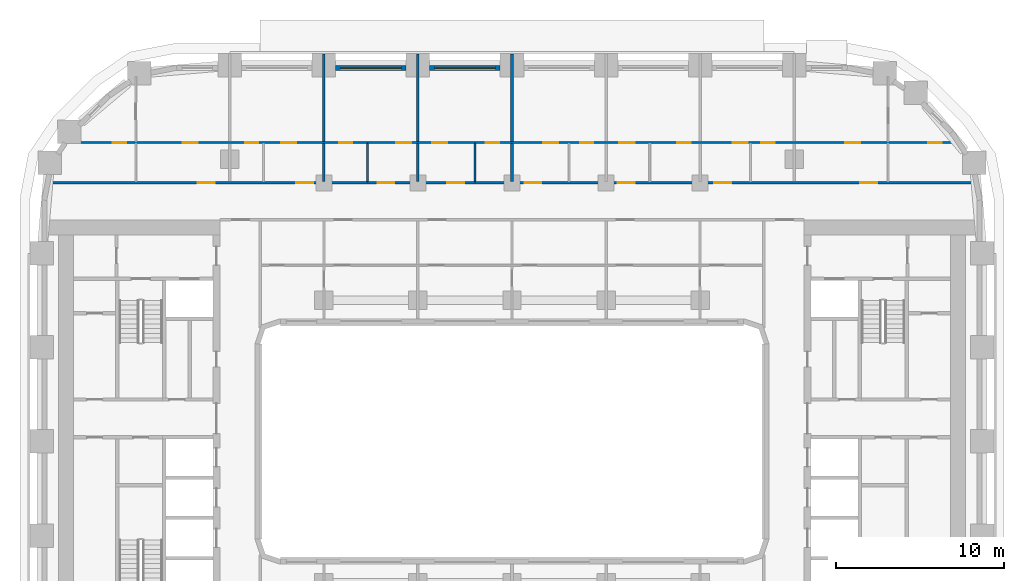
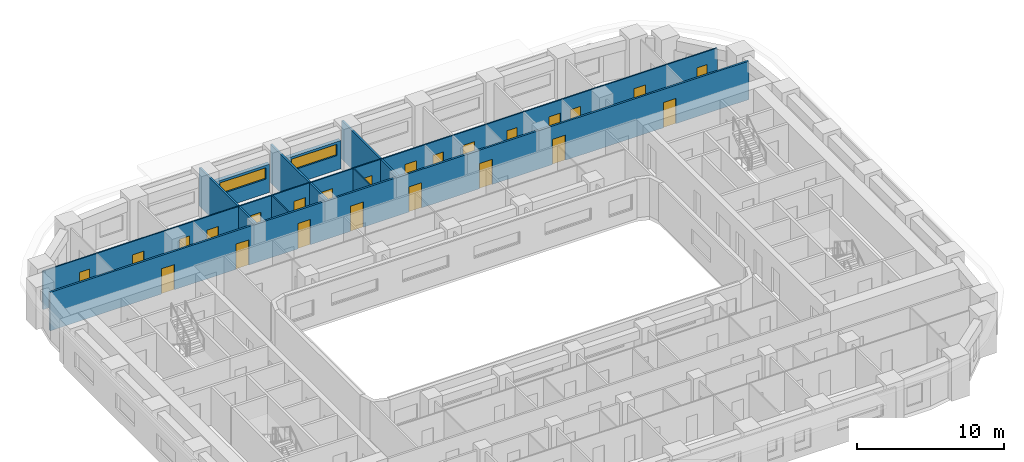
# One storey, part 9 of 22: 24 doors, 12 walls, 2 windows, 26 openings.
"""IFC4 building model written with IfcOpenShell, lengths in metres."""

from ifc_helpers import new_model, si_unit, direction, frame, frame_2d, origin, place, context, subcontext, project, spatial, rectangle, extrude, material, layer, layer_set, type_object, element, fill, save


model = new_model("IFC4")

# Units and contexts
model_context = context("Model", 3, precision=1e-05, world=origin(), true_north=direction((0.0, 1.0)))
body_context = subcontext(model_context, "Body", "Model", "MODEL_VIEW")
ifc_project = project(units=[si_unit("LENGTHUNIT", "METRE"), si_unit("AREAUNIT", "SQUARE_METRE"), si_unit("VOLUMEUNIT", "CUBIC_METRE"), si_unit("PLANEANGLEUNIT", "RADIAN"), si_unit("MASSUNIT", "GRAM", prefix="KILO")], contexts=[model_context])

# Site, building, storey
site_placement = place(None, origin())
site = spatial("IfcSite", under=ifc_project, at=site_placement, CompositionType="ELEMENT")
building_placement = place(site_placement, origin())
building = spatial("IfcBuilding", under=site, at=building_placement, Name="Kiln Ring Residences", CompositionType="ELEMENT")
storey_placement = place(building_placement, frame((0.0, 0.0, 62.0)))
storey = spatial("IfcBuildingStorey", under=building, at=storey_placement, Name="L15", CompositionType="ELEMENT", Elevation=62.0)

# Wall, opening, window
ifc_material_1 = material(Name="Brick masonry, dark clay brick", Category="masonry")
ifc_layer_1 = layer(ifc_material_1, 0.300048828125)
ifc_layer_set_1 = layer_set([ifc_layer_1], Name="EW-300 BRICK WALL")
wall_type_1 = type_object("IfcWallType", Name="EW-300 BRICK WALL", PredefinedType="SOLIDWALL", material=ifc_layer_set_1)
wall_1_placement = place(storey_placement, frame((-0.699951171875, 22.25, 0.0), z_axis=(0.0, 0.0, 1.0), x_axis=(-1.0, 0.0, 0.0)))
wall_1 = element("IfcWall", 1, at=wall_1_placement, inside=storey, type_object=wall_type_1, Name="Facade wall L15 32", PredefinedType="SOLIDWALL", context=body_context, shape_type="SweptSolid", body=[
    extrude(rectangle(XDim=4.199951171875, YDim=0.300048828125, at=frame_2d((2.10009765625, 0.0))), origin(), (0.0, 0.0, 1.0), 2.35009765625),
])
opening_1_placement = place(wall_1_placement, frame((0.300048828125, 0.0, 1.199951171875)))
opening_1 = element("IfcOpeningElement", 2, at=opening_1_placement, cuts=wall_1, Name="Opening W4", PredefinedType="OPENING", context=body_context, shape_type="SweptSolid", body=[
    extrude(rectangle(XDim=3.60009765625, YDim=0.949951171875, at=frame_2d((1.800048828125, 0.47509765625))), frame((0.0, 0.159912109375, 0.0), z_axis=(0.0, -1.0, 0.0), x_axis=(1.0, 0.0, 0.0)), (0.0, 0.0, 1.0), 0.320068359375),
])
ifc_material_2 = material(Name="Aluminium frame with double glazing", Category="aluminium")
window_type = type_object("IfcWindowType", Name="WINDOW 3600 x 950", PartitioningType="SINGLE_PANEL", PredefinedType="WINDOW", material=ifc_material_2)
window_1_placement = place(opening_1_placement, origin())
window_1 = element("IfcWindow", 3, at=window_1_placement, inside=storey, type_object=window_type, Name="Window L15 17", OverallHeight=0.949951171875, OverallWidth=3.60009765625, PartitioningType="SINGLE_PANEL", PredefinedType="WINDOW", context=body_context, shape_type="SweptSolid", body=[
    extrude(rectangle(XDim=3.60009765625, YDim=0.949951171875, at=frame_2d((1.800048828125, 0.47509765625))), frame((0.0, 0.030029296875, 0.0), z_axis=(0.0, -1.0, 0.0), x_axis=(1.0, 0.0, 0.0)), (0.0, 0.0, 1.0), 0.06005859375),
])
fill(opening_1, window_1)

wall_2_placement = place(storey_placement, frame((-6.300048828125, 22.25, 0.0), z_axis=(0.0, 0.0, 1.0), x_axis=(-1.0, 0.0, 0.0)))
wall_2 = element("IfcWall", 4, at=wall_2_placement, inside=storey, type_object=wall_type_1, Name="Facade wall L15 33", PredefinedType="SOLIDWALL", context=body_context, shape_type="SweptSolid", body=[
    extrude(rectangle(XDim=4.199951171875, YDim=0.300048828125, at=frame_2d((2.10009765625, 0.0))), origin(), (0.0, 0.0, 1.0), 2.35009765625),
])
opening_2_placement = place(wall_2_placement, frame((0.300048828125, 0.0, 1.199951171875)))
opening_2 = element("IfcOpeningElement", 5, at=opening_2_placement, cuts=wall_2, Name="Opening W4", PredefinedType="OPENING", context=body_context, shape_type="SweptSolid", body=[
    extrude(rectangle(XDim=3.60009765625, YDim=0.949951171875, at=frame_2d((1.800048828125, 0.47509765625))), frame((0.0, 0.159912109375, 0.0), z_axis=(0.0, -1.0, 0.0), x_axis=(1.0, 0.0, 0.0)), (0.0, 0.0, 1.0), 0.320068359375),
])
window_2_placement = place(opening_2_placement, origin())
window_2 = element("IfcWindow", 6, at=window_2_placement, inside=storey, type_object=window_type, Name="Window L15 18", OverallHeight=0.949951171875, OverallWidth=3.60009765625, PartitioningType="SINGLE_PANEL", PredefinedType="WINDOW", context=body_context, shape_type="SweptSolid", body=[
    extrude(rectangle(XDim=3.60009765625, YDim=0.949951171875, at=frame_2d((1.800048828125, 0.47509765625))), frame((0.0, 0.030029296875, 0.0), z_axis=(0.0, -1.0, 0.0), x_axis=(1.0, 0.0, 0.0)), (0.0, 0.0, 1.0), 0.06005859375),
])
fill(opening_2, window_2)

# Wall, openings, doors
ifc_material_3 = material(Name="Gypsum board on steel studs", Category="steel")
ifc_layer_2 = layer(ifc_material_3, 0.10009765625)
ifc_layer_set_2 = layer_set([ifc_layer_2], Name="PARTITION-100")
wall_type_2 = type_object("IfcWallType", Name="PARTITION-100", PredefinedType="PARTITIONING", material=ifc_layer_set_2)
wall_3_placement = place(storey_placement, frame((-26.639892578125, 17.800048828125, 0.0), z_axis=(0.0, 0.0, 1.0), x_axis=(1.0, 0.0, 0.0)))
wall_3 = element("IfcWall", 7, at=wall_3_placement, inside=storey, type_object=wall_type_2, Name="Partition 007", PredefinedType="PARTITIONING", context=body_context, shape_type="SweptSolid", body=[
    extrude(rectangle(XDim=53.033935546875, YDim=0.10009765625, at=frame_2d((26.51708984375, 0.0))), origin(), (0.0, 0.0, 1.0), 3.199951171875),
])
opening_3_placement = place(wall_3_placement, frame((2.8720703125, 0.0, 0.0)))
opening_3 = element("IfcOpeningElement", 8, at=opening_3_placement, cuts=wall_3, Name="Opening L15-D018", PredefinedType="OPENING", context=body_context, shape_type="SweptSolid", body=[
    extrude(rectangle(XDim=0.800048828125, YDim=2.10009765625, at=frame_2d((0.39990234375, 1.050048828125))), frame((0.0, 0.06005859375, 0.0), z_axis=(0.0, -1.0, 0.0), x_axis=(1.0, 0.0, 0.0)), (0.0, 0.0, 1.0), 0.1201171875),
])
opening_4_placement = place(wall_3_placement, frame((7.0400390625, 0.0, 0.0)))
opening_4 = element("IfcOpeningElement", 9, at=opening_4_placement, cuts=wall_3, Name="Opening L15-D019", PredefinedType="OPENING", context=body_context, shape_type="SweptSolid", body=[
    extrude(rectangle(XDim=0.89990234375, YDim=2.10009765625, at=frame_2d((0.449951171875, 1.050048828125))), frame((0.0, 0.06005859375, 0.0), z_axis=(0.0, -1.0, 0.0), x_axis=(1.0, 0.0, 0.0)), (0.0, 0.0, 1.0), 0.1201171875),
])
opening_5_placement = place(wall_3_placement, frame((10.739990234375, 0.0, 0.0)))
opening_5 = element("IfcOpeningElement", 10, at=opening_5_placement, cuts=wall_3, Name="Opening L15-D022", PredefinedType="OPENING", context=body_context, shape_type="SweptSolid", body=[
    extrude(rectangle(XDim=0.800048828125, YDim=2.10009765625, at=frame_2d((0.39990234375, 1.050048828125))), frame((0.0, 0.06005859375, 0.0), z_axis=(0.0, -1.0, 0.0), x_axis=(1.0, 0.0, 0.0)), (0.0, 0.0, 1.0), 0.1201171875),
])
opening_6_placement = place(wall_3_placement, frame((12.889892578125, 0.0, 0.0)))
opening_6 = element("IfcOpeningElement", 11, at=opening_6_placement, cuts=wall_3, Name="Opening L15-D023", PredefinedType="OPENING", context=body_context, shape_type="SweptSolid", body=[
    extrude(rectangle(XDim=0.89990234375, YDim=2.10009765625, at=frame_2d((0.449951171875, 1.050048828125))), frame((0.0, 0.06005859375, 0.0), z_axis=(0.0, -1.0, 0.0), x_axis=(1.0, 0.0, 0.0)), (0.0, 0.0, 1.0), 0.1201171875),
])
opening_7_placement = place(wall_3_placement, frame((16.340087890625, 0.0, 0.0)))
opening_7 = element("IfcOpeningElement", 12, at=opening_7_placement, cuts=wall_3, Name="Opening L15-D025", PredefinedType="OPENING", context=body_context, shape_type="SweptSolid", body=[
    extrude(rectangle(XDim=0.800048828125, YDim=2.10009765625, at=frame_2d((0.39990234375, 1.050048828125))), frame((0.0, 0.06005859375, 0.0), z_axis=(0.0, -1.0, 0.0), x_axis=(1.0, 0.0, 0.0)), (0.0, 0.0, 1.0), 0.1201171875),
])
opening_8_placement = place(wall_3_placement, frame((19.739990234375, 0.0, 0.0)))
opening_8 = element("IfcOpeningElement", 13, at=opening_8_placement, cuts=wall_3, Name="Opening L15-D026", PredefinedType="OPENING", context=body_context, shape_type="SweptSolid", body=[
    extrude(rectangle(XDim=0.89990234375, YDim=2.10009765625, at=frame_2d((0.449951171875, 1.050048828125))), frame((0.0, 0.06005859375, 0.0), z_axis=(0.0, -1.0, 0.0), x_axis=(1.0, 0.0, 0.0)), (0.0, 0.0, 1.0), 0.1201171875),
])
opening_9_placement = place(wall_3_placement, frame((25.090087890625, 0.0, 0.0)))
opening_9 = element("IfcOpeningElement", 14, at=opening_9_placement, cuts=wall_3, Name="Opening L15-D028", PredefinedType="OPENING", context=body_context, shape_type="SweptSolid", body=[
    extrude(rectangle(XDim=0.800048828125, YDim=2.10009765625, at=frame_2d((0.39990234375, 1.050048828125))), frame((0.0, 0.06005859375, 0.0), z_axis=(0.0, -1.0, 0.0), x_axis=(1.0, 0.0, 0.0)), (0.0, 0.0, 1.0), 0.1201171875),
])
opening_10_placement = place(wall_3_placement, frame((21.889892578125, 0.0, 0.0)))
opening_10 = element("IfcOpeningElement", 15, at=opening_10_placement, cuts=wall_3, Name="Opening L15-D029", PredefinedType="OPENING", context=body_context, shape_type="SweptSolid", body=[
    extrude(rectangle(XDim=0.89990234375, YDim=2.10009765625, at=frame_2d((0.449951171875, 1.050048828125))), frame((0.0, 0.06005859375, 0.0), z_axis=(0.0, -1.0, 0.0), x_axis=(1.0, 0.0, 0.0)), (0.0, 0.0, 1.0), 0.1201171875),
])
opening_11_placement = place(wall_3_placement, frame((30.68994140625, 0.0, 0.0)))
opening_11 = element("IfcOpeningElement", 16, at=opening_11_placement, cuts=wall_3, Name="Opening L15-D031", PredefinedType="OPENING", context=body_context, shape_type="SweptSolid", body=[
    extrude(rectangle(XDim=0.800048828125, YDim=2.10009765625, at=frame_2d((0.39990234375, 1.050048828125))), frame((0.0, 0.06005859375, 0.0), z_axis=(0.0, -1.0, 0.0), x_axis=(1.0, 0.0, 0.0)), (0.0, 0.0, 1.0), 0.1201171875),
])
opening_12_placement = place(wall_3_placement, frame((28.489990234375, 0.0, 0.0)))
opening_12 = element("IfcOpeningElement", 17, at=opening_12_placement, cuts=wall_3, Name="Opening L15-D032", PredefinedType="OPENING", context=body_context, shape_type="SweptSolid", body=[
    extrude(rectangle(XDim=0.89990234375, YDim=2.10009765625, at=frame_2d((0.449951171875, 1.050048828125))), frame((0.0, 0.06005859375, 0.0), z_axis=(0.0, -1.0, 0.0), x_axis=(1.0, 0.0, 0.0)), (0.0, 0.0, 1.0), 0.1201171875),
])
opening_13_placement = place(wall_3_placement, frame((36.489990234375, 0.0, 0.0)))
opening_13 = element("IfcOpeningElement", 18, at=opening_13_placement, cuts=wall_3, Name="Opening L15-D034", PredefinedType="OPENING", context=body_context, shape_type="SweptSolid", body=[
    extrude(rectangle(XDim=0.800048828125, YDim=2.10009765625, at=frame_2d((0.39990234375, 1.050048828125))), frame((0.0, 0.06005859375, 0.0), z_axis=(0.0, -1.0, 0.0), x_axis=(1.0, 0.0, 0.0)), (0.0, 0.0, 1.0), 0.1201171875),
])
opening_14_placement = place(wall_3_placement, frame((33.0400390625, 0.0, 0.0)))
opening_14 = element("IfcOpeningElement", 19, at=opening_14_placement, cuts=wall_3, Name="Opening L15-D035", PredefinedType="OPENING", context=body_context, shape_type="SweptSolid", body=[
    extrude(rectangle(XDim=0.89990234375, YDim=2.10009765625, at=frame_2d((0.449951171875, 1.050048828125))), frame((0.0, 0.06005859375, 0.0), z_axis=(0.0, -1.0, 0.0), x_axis=(1.0, 0.0, 0.0)), (0.0, 0.0, 1.0), 0.1201171875),
])
opening_15_placement = place(wall_3_placement, frame((41.489990234375, 0.0, 0.0)))
opening_15 = element("IfcOpeningElement", 20, at=opening_15_placement, cuts=wall_3, Name="Opening L15-D037", PredefinedType="OPENING", context=body_context, shape_type="SweptSolid", body=[
    extrude(rectangle(XDim=0.800048828125, YDim=2.10009765625, at=frame_2d((0.39990234375, 1.050048828125))), frame((0.0, 0.06005859375, 0.0), z_axis=(0.0, -1.0, 0.0), x_axis=(1.0, 0.0, 0.0)), (0.0, 0.0, 1.0), 0.1201171875),
])
opening_16_placement = place(wall_3_placement, frame((39.7900390625, 0.0, 0.0)))
opening_16 = element("IfcOpeningElement", 21, at=opening_16_placement, cuts=wall_3, Name="Opening L15-D038", PredefinedType="OPENING", context=body_context, shape_type="SweptSolid", body=[
    extrude(rectangle(XDim=0.89990234375, YDim=2.10009765625, at=frame_2d((0.449951171875, 1.050048828125))), frame((0.0, 0.06005859375, 0.0), z_axis=(0.0, -1.0, 0.0), x_axis=(1.0, 0.0, 0.0)), (0.0, 0.0, 1.0), 0.1201171875),
])
opening_17_placement = place(wall_3_placement, frame((51.43994140625, 0.0, 0.0)))
opening_17 = element("IfcOpeningElement", 22, at=opening_17_placement, cuts=wall_3, Name="Opening L15-D040", PredefinedType="OPENING", context=body_context, shape_type="SweptSolid", body=[
    extrude(rectangle(XDim=0.800048828125, YDim=2.10009765625, at=frame_2d((0.39990234375, 1.050048828125))), frame((0.0, 0.06005859375, 0.0), z_axis=(0.0, -1.0, 0.0), x_axis=(1.0, 0.0, 0.0)), (0.0, 0.0, 1.0), 0.1201171875),
])
opening_18_placement = place(wall_3_placement, frame((46.489990234375, 0.0, 0.0)))
opening_18 = element("IfcOpeningElement", 23, at=opening_18_placement, cuts=wall_3, Name="Opening L15-D041", PredefinedType="OPENING", context=body_context, shape_type="SweptSolid", body=[
    extrude(rectangle(XDim=0.89990234375, YDim=2.10009765625, at=frame_2d((0.449951171875, 1.050048828125))), frame((0.0, 0.06005859375, 0.0), z_axis=(0.0, -1.0, 0.0), x_axis=(1.0, 0.0, 0.0)), (0.0, 0.0, 1.0), 0.1201171875),
])
ifc_material_4 = material(Name="Timber door leaf", Category="wood")
door_type_1 = type_object("IfcDoorType", Name="FLAT-DOOR-800-PL", OperationType="SINGLE_SWING_LEFT", PredefinedType="DOOR", material=ifc_material_4)
door_1_placement = place(opening_3_placement, origin())
door_1 = element("IfcDoor", 24, at=door_1_placement, inside=storey, type_object=door_type_1, Name="Door L15-D018", OperationType="SINGLE_SWING_RIGHT", OverallHeight=2.10009765625, OverallWidth=0.800048828125, PredefinedType="DOOR", context=body_context, shape_type="SweptSolid", body=[
    extrude(rectangle(XDim=0.800048828125, YDim=2.10009765625, at=frame_2d((0.39990234375, 1.050048828125))), frame((0.0, 0.02490234375, 0.0), z_axis=(0.0, -1.0, 0.0), x_axis=(1.0, 0.0, 0.0)), (0.0, 0.0, 1.0), 0.050048828125),
])
fill(opening_3, door_1)
door_2_placement = place(opening_5_placement, origin())
door_2 = element("IfcDoor", 25, at=door_2_placement, inside=storey, type_object=door_type_1, Name="Door L15-D022", OperationType="SINGLE_SWING_RIGHT", OverallHeight=2.10009765625, OverallWidth=0.800048828125, PredefinedType="DOOR", context=body_context, shape_type="SweptSolid", body=[
    extrude(rectangle(XDim=0.800048828125, YDim=2.10009765625, at=frame_2d((0.39990234375, 1.050048828125))), frame((0.0, 0.02490234375, 0.0), z_axis=(0.0, -1.0, 0.0), x_axis=(1.0, 0.0, 0.0)), (0.0, 0.0, 1.0), 0.050048828125),
])
fill(opening_5, door_2)
door_3_placement = place(opening_7_placement, origin())
door_3 = element("IfcDoor", 26, at=door_3_placement, inside=storey, type_object=door_type_1, Name="Door L15-D025", OperationType="SINGLE_SWING_LEFT", OverallHeight=2.10009765625, OverallWidth=0.800048828125, PredefinedType="DOOR", context=body_context, shape_type="SweptSolid", body=[
    extrude(rectangle(XDim=0.800048828125, YDim=2.10009765625, at=frame_2d((0.39990234375, 1.050048828125))), frame((0.0, 0.02490234375, 0.0), z_axis=(0.0, -1.0, 0.0), x_axis=(1.0, 0.0, 0.0)), (0.0, 0.0, 1.0), 0.050048828125),
])
fill(opening_7, door_3)
door_4_placement = place(opening_9_placement, origin())
door_4 = element("IfcDoor", 27, at=door_4_placement, inside=storey, type_object=door_type_1, Name="Door L15-D028", OperationType="SINGLE_SWING_RIGHT", OverallHeight=2.10009765625, OverallWidth=0.800048828125, PredefinedType="DOOR", context=body_context, shape_type="SweptSolid", body=[
    extrude(rectangle(XDim=0.800048828125, YDim=2.10009765625, at=frame_2d((0.39990234375, 1.050048828125))), frame((0.0, 0.02490234375, 0.0), z_axis=(0.0, -1.0, 0.0), x_axis=(1.0, 0.0, 0.0)), (0.0, 0.0, 1.0), 0.050048828125),
])
fill(opening_9, door_4)
door_5_placement = place(opening_11_placement, origin())
door_5 = element("IfcDoor", 28, at=door_5_placement, inside=storey, type_object=door_type_1, Name="Door L15-D031", OperationType="SINGLE_SWING_LEFT", OverallHeight=2.10009765625, OverallWidth=0.800048828125, PredefinedType="DOOR", context=body_context, shape_type="SweptSolid", body=[
    extrude(rectangle(XDim=0.800048828125, YDim=2.10009765625, at=frame_2d((0.39990234375, 1.050048828125))), frame((0.0, 0.02490234375, 0.0), z_axis=(0.0, -1.0, 0.0), x_axis=(1.0, 0.0, 0.0)), (0.0, 0.0, 1.0), 0.050048828125),
])
fill(opening_11, door_5)
door_6_placement = place(opening_13_placement, origin())
door_6 = element("IfcDoor", 29, at=door_6_placement, inside=storey, type_object=door_type_1, Name="Door L15-D034", OperationType="SINGLE_SWING_RIGHT", OverallHeight=2.10009765625, OverallWidth=0.800048828125, PredefinedType="DOOR", context=body_context, shape_type="SweptSolid", body=[
    extrude(rectangle(XDim=0.800048828125, YDim=2.10009765625, at=frame_2d((0.39990234375, 1.050048828125))), frame((0.0, 0.02490234375, 0.0), z_axis=(0.0, -1.0, 0.0), x_axis=(1.0, 0.0, 0.0)), (0.0, 0.0, 1.0), 0.050048828125),
])
fill(opening_13, door_6)
door_7_placement = place(opening_15_placement, origin())
door_7 = element("IfcDoor", 30, at=door_7_placement, inside=storey, type_object=door_type_1, Name="Door L15-D037", OperationType="SINGLE_SWING_LEFT", OverallHeight=2.10009765625, OverallWidth=0.800048828125, PredefinedType="DOOR", context=body_context, shape_type="SweptSolid", body=[
    extrude(rectangle(XDim=0.800048828125, YDim=2.10009765625, at=frame_2d((0.39990234375, 1.050048828125))), frame((0.0, 0.02490234375, 0.0), z_axis=(0.0, -1.0, 0.0), x_axis=(1.0, 0.0, 0.0)), (0.0, 0.0, 1.0), 0.050048828125),
])
fill(opening_15, door_7)
door_8_placement = place(opening_17_placement, origin())
door_8 = element("IfcDoor", 31, at=door_8_placement, inside=storey, type_object=door_type_1, Name="Door L15-D040", OperationType="SINGLE_SWING_RIGHT", OverallHeight=2.10009765625, OverallWidth=0.800048828125, PredefinedType="DOOR", context=body_context, shape_type="SweptSolid", body=[
    extrude(rectangle(XDim=0.800048828125, YDim=2.10009765625, at=frame_2d((0.39990234375, 1.050048828125))), frame((0.0, 0.02490234375, 0.0), z_axis=(0.0, -1.0, 0.0), x_axis=(1.0, 0.0, 0.0)), (0.0, 0.0, 1.0), 0.050048828125),
])
fill(opening_17, door_8)
ifc_material_5 = material(Name="Timber door leaf", Category="wood")
door_type_2 = type_object("IfcDoorType", Name="FLAT-DOOR-900-PL", OperationType="SINGLE_SWING_LEFT", PredefinedType="DOOR", material=ifc_material_5)
door_9_placement = place(opening_4_placement, origin())
door_9 = element("IfcDoor", 32, at=door_9_placement, inside=storey, type_object=door_type_2, Name="Door L15-D019", OperationType="SINGLE_SWING_LEFT", OverallHeight=2.10009765625, OverallWidth=0.89990234375, PredefinedType="DOOR", context=body_context, shape_type="SweptSolid", body=[
    extrude(rectangle(XDim=0.89990234375, YDim=2.10009765625, at=frame_2d((0.449951171875, 1.050048828125))), frame((0.0, 0.02490234375, 0.0), z_axis=(0.0, -1.0, 0.0), x_axis=(1.0, 0.0, 0.0)), (0.0, 0.0, 1.0), 0.050048828125),
])
fill(opening_4, door_9)
door_10_placement = place(opening_6_placement, origin())
door_10 = element("IfcDoor", 33, at=door_10_placement, inside=storey, type_object=door_type_2, Name="Door L15-D023", OperationType="SINGLE_SWING_RIGHT", OverallHeight=2.10009765625, OverallWidth=0.89990234375, PredefinedType="DOOR", context=body_context, shape_type="SweptSolid", body=[
    extrude(rectangle(XDim=0.89990234375, YDim=2.10009765625, at=frame_2d((0.449951171875, 1.050048828125))), frame((0.0, 0.02490234375, 0.0), z_axis=(0.0, -1.0, 0.0), x_axis=(1.0, 0.0, 0.0)), (0.0, 0.0, 1.0), 0.050048828125),
])
fill(opening_6, door_10)
door_11_placement = place(opening_8_placement, origin())
door_11 = element("IfcDoor", 34, at=door_11_placement, inside=storey, type_object=door_type_2, Name="Door L15-D026", OperationType="SINGLE_SWING_LEFT", OverallHeight=2.10009765625, OverallWidth=0.89990234375, PredefinedType="DOOR", context=body_context, shape_type="SweptSolid", body=[
    extrude(rectangle(XDim=0.89990234375, YDim=2.10009765625, at=frame_2d((0.449951171875, 1.050048828125))), frame((0.0, 0.02490234375, 0.0), z_axis=(0.0, -1.0, 0.0), x_axis=(1.0, 0.0, 0.0)), (0.0, 0.0, 1.0), 0.050048828125),
])
fill(opening_8, door_11)
door_12_placement = place(opening_10_placement, origin())
door_12 = element("IfcDoor", 35, at=door_12_placement, inside=storey, type_object=door_type_2, Name="Door L15-D029", OperationType="SINGLE_SWING_RIGHT", OverallHeight=2.10009765625, OverallWidth=0.89990234375, PredefinedType="DOOR", context=body_context, shape_type="SweptSolid", body=[
    extrude(rectangle(XDim=0.89990234375, YDim=2.10009765625, at=frame_2d((0.449951171875, 1.050048828125))), frame((0.0, 0.02490234375, 0.0), z_axis=(0.0, -1.0, 0.0), x_axis=(1.0, 0.0, 0.0)), (0.0, 0.0, 1.0), 0.050048828125),
])
fill(opening_10, door_12)
door_13_placement = place(opening_12_placement, origin())
door_13 = element("IfcDoor", 36, at=door_13_placement, inside=storey, type_object=door_type_2, Name="Door L15-D032", OperationType="SINGLE_SWING_LEFT", OverallHeight=2.10009765625, OverallWidth=0.89990234375, PredefinedType="DOOR", context=body_context, shape_type="SweptSolid", body=[
    extrude(rectangle(XDim=0.89990234375, YDim=2.10009765625, at=frame_2d((0.449951171875, 1.050048828125))), frame((0.0, 0.02490234375, 0.0), z_axis=(0.0, -1.0, 0.0), x_axis=(1.0, 0.0, 0.0)), (0.0, 0.0, 1.0), 0.050048828125),
])
fill(opening_12, door_13)
door_14_placement = place(opening_14_placement, origin())
door_14 = element("IfcDoor", 37, at=door_14_placement, inside=storey, type_object=door_type_2, Name="Door L15-D035", OperationType="SINGLE_SWING_LEFT", OverallHeight=2.10009765625, OverallWidth=0.89990234375, PredefinedType="DOOR", context=body_context, shape_type="SweptSolid", body=[
    extrude(rectangle(XDim=0.89990234375, YDim=2.10009765625, at=frame_2d((0.449951171875, 1.050048828125))), frame((0.0, 0.02490234375, 0.0), z_axis=(0.0, -1.0, 0.0), x_axis=(1.0, 0.0, 0.0)), (0.0, 0.0, 1.0), 0.050048828125),
])
fill(opening_14, door_14)
door_15_placement = place(opening_16_placement, origin())
door_15 = element("IfcDoor", 38, at=door_15_placement, inside=storey, type_object=door_type_2, Name="Door L15-D038", OperationType="SINGLE_SWING_LEFT", OverallHeight=2.10009765625, OverallWidth=0.89990234375, PredefinedType="DOOR", context=body_context, shape_type="SweptSolid", body=[
    extrude(rectangle(XDim=0.89990234375, YDim=2.10009765625, at=frame_2d((0.449951171875, 1.050048828125))), frame((0.0, 0.02490234375, 0.0), z_axis=(0.0, -1.0, 0.0), x_axis=(1.0, 0.0, 0.0)), (0.0, 0.0, 1.0), 0.050048828125),
])
fill(opening_16, door_15)
door_16_placement = place(opening_18_placement, origin())
door_16 = element("IfcDoor", 39, at=door_16_placement, inside=storey, type_object=door_type_2, Name="Door L15-D041", OperationType="SINGLE_SWING_LEFT", OverallHeight=2.10009765625, OverallWidth=0.89990234375, PredefinedType="DOOR", context=body_context, shape_type="SweptSolid", body=[
    extrude(rectangle(XDim=0.89990234375, YDim=2.10009765625, at=frame_2d((0.449951171875, 1.050048828125))), frame((0.0, 0.02490234375, 0.0), z_axis=(0.0, -1.0, 0.0), x_axis=(1.0, 0.0, 0.0)), (0.0, 0.0, 1.0), 0.050048828125),
])
fill(opening_18, door_16)

# Walls
for number, where, z_axis, x_axis, name in (
    (40, (-8.60009765625, 15.47509765625, 0.0), (0.0, 0.0, 1.0), (0.0, 1.0, 0.0), "Partition 028"),
    (41, (-2.199951171875, 15.47509765625, 0.0), (0.0, 0.0, 1.0), (0.0, 1.0, 0.0), "Partition 039"),
):
    element("IfcWall", number, at=place(storey_placement, frame(where, z_axis=z_axis, x_axis=x_axis)), inside=storey, type_object=wall_type_2, Name=name, PredefinedType="PARTITIONING", context=body_context, shape_type="SweptSolid", body=[
        extrude(rectangle(XDim=2.27490234375, YDim=0.10009765625, at=frame_2d((1.137451171875, 0.0))), origin(), (0.0, 0.0, 1.0), 3.199951171875),
    ])

# Wall, openings, doors
ifc_material_6 = material(Name="Brick masonry partition", Category="masonry")
ifc_layer_3 = layer(ifc_material_6, 0.14990234375)
ifc_layer_set_3 = layer_set([ifc_layer_3], Name="PARTITION-150-ei60")
wall_type_3 = type_object("IfcWallType", Name="PARTITION-150-ei60", PredefinedType="PARTITIONING", material=ifc_layer_set_3)
wall_4_placement = place(storey_placement, frame((-27.48388671875, 15.39990234375, 0.0), z_axis=(0.0, 0.0, 1.0), x_axis=(1.0, 0.0, 0.0)))
wall_4 = element("IfcWall", 42, at=wall_4_placement, inside=storey, type_object=wall_type_3, Name="Partition 006", PredefinedType="PARTITIONING", context=body_context, shape_type="SweptSolid", body=[
    extrude(rectangle(XDim=54.9677734375, YDim=0.14990234375, at=frame_2d((27.48388671875, 0.0))), origin(), (0.0, 0.0, 1.0), 3.199951171875),
])
opening_19_placement = place(wall_4_placement, frame((8.78369140625, 0.0, 0.0)))
opening_19 = element("IfcOpeningElement", 43, at=opening_19_placement, cuts=wall_4, Name="Opening L15-D017", PredefinedType="OPENING", context=body_context, shape_type="SweptSolid", body=[
    extrude(rectangle(XDim=1.0, YDim=2.10009765625, at=frame_2d((0.5, 1.050048828125))), frame((0.0, 0.0849609375, 0.0), z_axis=(0.0, -1.0, 0.0), x_axis=(1.0, 0.0, 0.0)), (0.0, 0.0, 1.0), 0.169921875),
])
opening_20_placement = place(wall_4_placement, frame((14.6337890625, 0.0, 0.0)))
opening_20 = element("IfcOpeningElement", 44, at=opening_20_placement, cuts=wall_4, Name="Opening L15-D021", PredefinedType="OPENING", context=body_context, shape_type="SweptSolid", body=[
    extrude(rectangle(XDim=1.0, YDim=2.10009765625, at=frame_2d((0.5, 1.050048828125))), frame((0.0, 0.0849609375, 0.0), z_axis=(0.0, -1.0, 0.0), x_axis=(1.0, 0.0, 0.0)), (0.0, 0.0, 1.0), 0.169921875),
])
opening_21_placement = place(wall_4_placement, frame((19.48388671875, 0.0, 0.0)))
opening_21 = element("IfcOpeningElement", 45, at=opening_21_placement, cuts=wall_4, Name="Opening L15-D024", PredefinedType="OPENING", context=body_context, shape_type="SweptSolid", body=[
    extrude(rectangle(XDim=1.0, YDim=2.10009765625, at=frame_2d((0.5, 1.050048828125))), frame((0.0, 0.0849609375, 0.0), z_axis=(0.0, -1.0, 0.0), x_axis=(1.0, 0.0, 0.0)), (0.0, 0.0, 1.0), 0.169921875),
])
opening_22_placement = place(wall_4_placement, frame((23.6337890625, 0.0, 0.0)))
opening_22 = element("IfcOpeningElement", 46, at=opening_22_placement, cuts=wall_4, Name="Opening L15-D027", PredefinedType="OPENING", context=body_context, shape_type="SweptSolid", body=[
    extrude(rectangle(XDim=1.0, YDim=2.10009765625, at=frame_2d((0.5, 1.050048828125))), frame((0.0, 0.0849609375, 0.0), z_axis=(0.0, -1.0, 0.0), x_axis=(1.0, 0.0, 0.0)), (0.0, 0.0, 1.0), 0.169921875),
])
opening_23_placement = place(wall_4_placement, frame((28.23388671875, 0.0, 0.0)))
opening_23 = element("IfcOpeningElement", 47, at=opening_23_placement, cuts=wall_4, Name="Opening L15-D030", PredefinedType="OPENING", context=body_context, shape_type="SweptSolid", body=[
    extrude(rectangle(XDim=1.0, YDim=2.10009765625, at=frame_2d((0.5, 1.050048828125))), frame((0.0, 0.0849609375, 0.0), z_axis=(0.0, -1.0, 0.0), x_axis=(1.0, 0.0, 0.0)), (0.0, 0.0, 1.0), 0.169921875),
])
opening_24_placement = place(wall_4_placement, frame((33.78369140625, 0.0, 0.0)))
opening_24 = element("IfcOpeningElement", 48, at=opening_24_placement, cuts=wall_4, Name="Opening L15-D033", PredefinedType="OPENING", context=body_context, shape_type="SweptSolid", body=[
    extrude(rectangle(XDim=1.0, YDim=2.10009765625, at=frame_2d((0.5, 1.050048828125))), frame((0.0, 0.0849609375, 0.0), z_axis=(0.0, -1.0, 0.0), x_axis=(1.0, 0.0, 0.0)), (0.0, 0.0, 1.0), 0.169921875),
])
opening_25_placement = place(wall_4_placement, frame((39.53369140625, 0.0, 0.0)))
opening_25 = element("IfcOpeningElement", 49, at=opening_25_placement, cuts=wall_4, Name="Opening L15-D036", PredefinedType="OPENING", context=body_context, shape_type="SweptSolid", body=[
    extrude(rectangle(XDim=1.0, YDim=2.10009765625, at=frame_2d((0.5, 1.050048828125))), frame((0.0, 0.0849609375, 0.0), z_axis=(0.0, -1.0, 0.0), x_axis=(1.0, 0.0, 0.0)), (0.0, 0.0, 1.0), 0.169921875),
])
opening_26_placement = place(wall_4_placement, frame((48.23388671875, 0.0, 0.0)))
opening_26 = element("IfcOpeningElement", 50, at=opening_26_placement, cuts=wall_4, Name="Opening L15-D039", PredefinedType="OPENING", context=body_context, shape_type="SweptSolid", body=[
    extrude(rectangle(XDim=1.0, YDim=2.10009765625, at=frame_2d((0.5, 1.050048828125))), frame((0.0, 0.0849609375, 0.0), z_axis=(0.0, -1.0, 0.0), x_axis=(1.0, 0.0, 0.0)), (0.0, 0.0, 1.0), 0.169921875),
])
ifc_material_7 = material(Name="Steel faced fire door leaf", Category="steel")
door_type_3 = type_object("IfcDoorType", Name="FLAT-DOOR-1000-FR", OperationType="SINGLE_SWING_LEFT", PredefinedType="DOOR", material=ifc_material_7)
door_17_placement = place(opening_19_placement, origin())
door_17 = element("IfcDoor", 51, at=door_17_placement, inside=storey, type_object=door_type_3, Name="Door L15-D017", OperationType="SINGLE_SWING_LEFT", OverallHeight=2.10009765625, OverallWidth=1.0, PredefinedType="DOOR", context=body_context, shape_type="SweptSolid", body=[
    extrude(rectangle(XDim=1.0, YDim=2.10009765625, at=frame_2d((0.5, 1.050048828125))), frame((0.0, 0.02490234375, 0.0), z_axis=(0.0, -1.0, 0.0), x_axis=(1.0, 0.0, 0.0)), (0.0, 0.0, 1.0), 0.050048828125),
])
fill(opening_19, door_17)
door_18_placement = place(opening_20_placement, origin())
door_18 = element("IfcDoor", 52, at=door_18_placement, inside=storey, type_object=door_type_3, Name="Door L15-D021", OperationType="SINGLE_SWING_LEFT", OverallHeight=2.10009765625, OverallWidth=1.0, PredefinedType="DOOR", context=body_context, shape_type="SweptSolid", body=[
    extrude(rectangle(XDim=1.0, YDim=2.10009765625, at=frame_2d((0.5, 1.050048828125))), frame((0.0, 0.02490234375, 0.0), z_axis=(0.0, -1.0, 0.0), x_axis=(1.0, 0.0, 0.0)), (0.0, 0.0, 1.0), 0.050048828125),
])
fill(opening_20, door_18)
door_19_placement = place(opening_21_placement, origin())
door_19 = element("IfcDoor", 53, at=door_19_placement, inside=storey, type_object=door_type_3, Name="Door L15-D024", OperationType="SINGLE_SWING_RIGHT", OverallHeight=2.10009765625, OverallWidth=1.0, PredefinedType="DOOR", context=body_context, shape_type="SweptSolid", body=[
    extrude(rectangle(XDim=1.0, YDim=2.10009765625, at=frame_2d((0.5, 1.050048828125))), frame((0.0, 0.02490234375, 0.0), z_axis=(0.0, -1.0, 0.0), x_axis=(1.0, 0.0, 0.0)), (0.0, 0.0, 1.0), 0.050048828125),
])
fill(opening_21, door_19)
door_20_placement = place(opening_22_placement, origin())
door_20 = element("IfcDoor", 54, at=door_20_placement, inside=storey, type_object=door_type_3, Name="Door L15-D027", OperationType="SINGLE_SWING_LEFT", OverallHeight=2.10009765625, OverallWidth=1.0, PredefinedType="DOOR", context=body_context, shape_type="SweptSolid", body=[
    extrude(rectangle(XDim=1.0, YDim=2.10009765625, at=frame_2d((0.5, 1.050048828125))), frame((0.0, 0.02490234375, 0.0), z_axis=(0.0, -1.0, 0.0), x_axis=(1.0, 0.0, 0.0)), (0.0, 0.0, 1.0), 0.050048828125),
])
fill(opening_22, door_20)
door_21_placement = place(opening_23_placement, origin())
door_21 = element("IfcDoor", 55, at=door_21_placement, inside=storey, type_object=door_type_3, Name="Door L15-D030", OperationType="SINGLE_SWING_RIGHT", OverallHeight=2.10009765625, OverallWidth=1.0, PredefinedType="DOOR", context=body_context, shape_type="SweptSolid", body=[
    extrude(rectangle(XDim=1.0, YDim=2.10009765625, at=frame_2d((0.5, 1.050048828125))), frame((0.0, 0.02490234375, 0.0), z_axis=(0.0, -1.0, 0.0), x_axis=(1.0, 0.0, 0.0)), (0.0, 0.0, 1.0), 0.050048828125),
])
fill(opening_23, door_21)
door_22_placement = place(opening_24_placement, origin())
door_22 = element("IfcDoor", 56, at=door_22_placement, inside=storey, type_object=door_type_3, Name="Door L15-D033", OperationType="SINGLE_SWING_LEFT", OverallHeight=2.10009765625, OverallWidth=1.0, PredefinedType="DOOR", context=body_context, shape_type="SweptSolid", body=[
    extrude(rectangle(XDim=1.0, YDim=2.10009765625, at=frame_2d((0.5, 1.050048828125))), frame((0.0, 0.02490234375, 0.0), z_axis=(0.0, -1.0, 0.0), x_axis=(1.0, 0.0, 0.0)), (0.0, 0.0, 1.0), 0.050048828125),
])
fill(opening_24, door_22)
door_23_placement = place(opening_25_placement, origin())
door_23 = element("IfcDoor", 57, at=door_23_placement, inside=storey, type_object=door_type_3, Name="Door L15-D036", OperationType="SINGLE_SWING_RIGHT", OverallHeight=2.10009765625, OverallWidth=1.0, PredefinedType="DOOR", context=body_context, shape_type="SweptSolid", body=[
    extrude(rectangle(XDim=1.0, YDim=2.10009765625, at=frame_2d((0.5, 1.050048828125))), frame((0.0, 0.02490234375, 0.0), z_axis=(0.0, -1.0, 0.0), x_axis=(1.0, 0.0, 0.0)), (0.0, 0.0, 1.0), 0.050048828125),
])
fill(opening_25, door_23)
door_24_placement = place(opening_26_placement, origin())
door_24 = element("IfcDoor", 58, at=door_24_placement, inside=storey, type_object=door_type_3, Name="Door L15-D039", OperationType="SINGLE_SWING_LEFT", OverallHeight=2.10009765625, OverallWidth=1.0, PredefinedType="DOOR", context=body_context, shape_type="SweptSolid", body=[
    extrude(rectangle(XDim=1.0, YDim=2.10009765625, at=frame_2d((0.5, 1.050048828125))), frame((0.0, 0.02490234375, 0.0), z_axis=(0.0, -1.0, 0.0), x_axis=(1.0, 0.0, 0.0)), (0.0, 0.0, 1.0), 0.050048828125),
])
fill(opening_26, door_24)

# Walls
wall_5_placement = place(storey_placement, frame((-11.199951171875, 15.47509765625, 0.0), z_axis=(0.0, 0.0, 1.0), x_axis=(0.0, 1.0, 0.0)))
element("IfcWall", 59, at=wall_5_placement, inside=storey, type_object=wall_type_3, Name="Partition 026", PredefinedType="PARTITIONING", context=body_context, shape_type="SweptSolid", body=[
    extrude(rectangle(XDim=2.27490234375, YDim=0.14990234375, at=frame_2d((1.137451171875, 0.0))), origin(), (0.0, 0.0, 1.0), 3.199951171875),
])
wall_6_placement = place(storey_placement, frame((-11.199951171875, 17.85009765625, 0.0), z_axis=(0.0, 0.0, 1.0), x_axis=(0.0, 1.0, 0.0)))
element("IfcWall", 60, at=wall_6_placement, inside=storey, type_object=wall_type_3, Name="Partition 027", PredefinedType="PARTITIONING", context=body_context, shape_type="SweptSolid", body=[
    extrude(rectangle(XDim=5.22998046875, YDim=0.14990234375, at=frame_2d((2.614990234375, 0.0))), origin(), (0.0, 0.0, 1.0), 3.199951171875),
])
wall_7_placement = place(storey_placement, frame((-5.60009765625, 15.47509765625, 0.0), z_axis=(0.0, 0.0, 1.0), x_axis=(0.0, 1.0, 0.0)))
element("IfcWall", 61, at=wall_7_placement, inside=storey, type_object=wall_type_3, Name="Partition 036", PredefinedType="PARTITIONING", context=body_context, shape_type="SweptSolid", body=[
    extrude(rectangle(XDim=2.27490234375, YDim=0.14990234375, at=frame_2d((1.137451171875, 0.0))), origin(), (0.0, 0.0, 1.0), 3.199951171875),
])
wall_8_placement = place(storey_placement, frame((-5.60009765625, 17.85009765625, 0.0), z_axis=(0.0, 0.0, 1.0), x_axis=(0.0, 1.0, 0.0)))
element("IfcWall", 62, at=wall_8_placement, inside=storey, type_object=wall_type_3, Name="Partition 037", PredefinedType="PARTITIONING", context=body_context, shape_type="SweptSolid", body=[
    extrude(rectangle(XDim=5.22998046875, YDim=0.14990234375, at=frame_2d((2.614990234375, 0.0))), origin(), (0.0, 0.0, 1.0), 3.199951171875),
])
wall_9_placement = place(storey_placement, frame((0.0, 15.47509765625, 0.0), z_axis=(0.0, 0.0, 1.0), x_axis=(0.0, 1.0, 0.0)))
element("IfcWall", 63, at=wall_9_placement, inside=storey, type_object=wall_type_3, Name="Partition 047", PredefinedType="PARTITIONING", context=body_context, shape_type="SweptSolid", body=[
    extrude(rectangle(XDim=2.27490234375, YDim=0.14990234375, at=frame_2d((1.137451171875, 0.0))), origin(), (0.0, 0.0, 1.0), 3.199951171875),
])
wall_10_placement = place(storey_placement, frame((0.0, 17.85009765625, 0.0), z_axis=(0.0, 0.0, 1.0), x_axis=(0.0, 1.0, 0.0)))
element("IfcWall", 64, at=wall_10_placement, inside=storey, type_object=wall_type_3, Name="Partition 048", PredefinedType="PARTITIONING", context=body_context, shape_type="SweptSolid", body=[
    extrude(rectangle(XDim=5.22998046875, YDim=0.14990234375, at=frame_2d((2.614990234375, 0.0))), origin(), (0.0, 0.0, 1.0), 3.199951171875),
])

save(model, "model.ifc")
